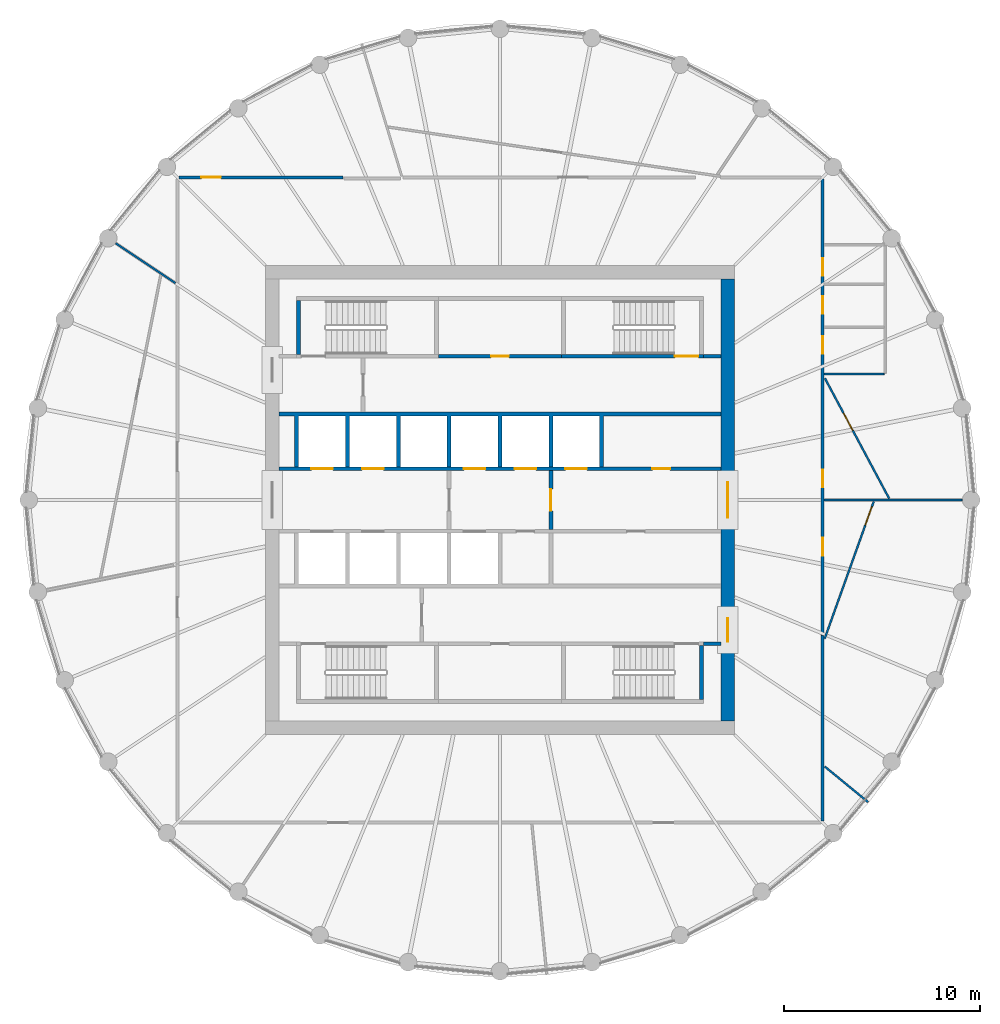
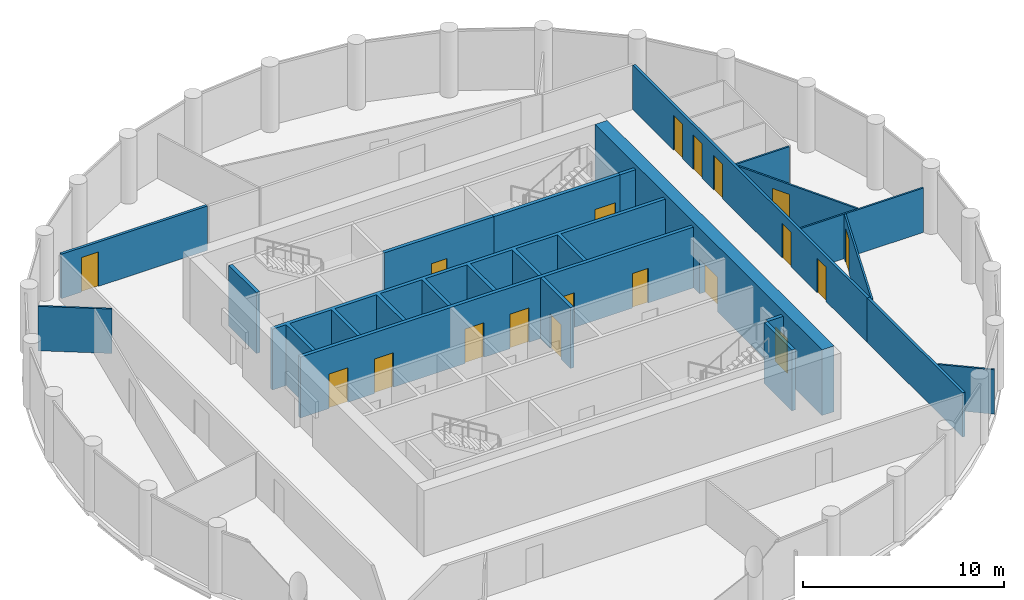
# One storey, part 5 of 7: 19 doors, 19 walls, 19 openings.
"""IFC4 building model written with IfcOpenShell, lengths in metres."""

from ifc_helpers import new_model, si_unit, direction, frame, frame_2d, origin, place, context, subcontext, project, spatial, polyline, rectangle, outline, extrude, material, layer, layer_set, type_object, element, fill, save


model = new_model("IFC4")

# Units and contexts
model_context = context("Model", 3, precision=1e-05, world=origin(), true_north=direction((0.0, 1.0)))
body_context = subcontext(model_context, "Body", "Model", "MODEL_VIEW")
ifc_project = project(units=[si_unit("LENGTHUNIT", "METRE"), si_unit("AREAUNIT", "SQUARE_METRE"), si_unit("VOLUMEUNIT", "CUBIC_METRE"), si_unit("PLANEANGLEUNIT", "RADIAN"), si_unit("MASSUNIT", "GRAM", prefix="KILO")], contexts=[model_context])

# Site, building, storey
site_placement = place(None, origin())
site = spatial("IfcSite", under=ifc_project, at=site_placement, CompositionType="ELEMENT")
building_placement = place(site_placement, origin())
building = spatial("IfcBuilding", under=site, at=building_placement, Name="Corvane Civic Tower", CompositionType="ELEMENT")
storey_placement = place(building_placement, frame((0.0, 0.0, 291.0)))
storey = spatial("IfcBuildingStorey", under=building, at=storey_placement, Name="L69", CompositionType="ELEMENT", Elevation=291.0)

# Wall, openings, doors
ifc_material_1 = material(Name="Concrete C40/50", Category="concrete")
ifc_layer_1 = layer(ifc_material_1, 0.699951171875)
ifc_layer_set_1 = layer_set([ifc_layer_1], Name="Concrete C40/50")
wall_type_1 = type_object("IfcWallType", Name="CORE WALL 700 C40/50", PredefinedType="SHEAR", material=ifc_layer_set_1)
wall_1_placement = place(storey_placement, frame((11.64990234375, -11.300048828125, 0.0), z_axis=(0.0, 0.0, 1.0), x_axis=(0.0, 1.0, 0.0)))
wall_1 = element("IfcWall", 1, at=wall_1_placement, inside=storey, type_object=wall_type_1, Name="W-L69-core-E", PredefinedType="SHEAR", context=body_context, shape_type="SweptSolid", body=[
    extrude(rectangle(XDim=22.60009765625, YDim=0.699951171875, at=frame_2d((11.300048828125, 0.0))), origin(), (0.0, 0.0, 1.0), 4.0),
])
opening_1_placement = place(wall_1_placement, frame((10.39990234375, 0.0, 0.0)))
opening_1 = element("IfcOpeningElement", 2, at=opening_1_placement, cuts=wall_1, Name="Opening L69.C15", PredefinedType="OPENING", context=body_context, shape_type="SweptSolid", body=[
    extrude(rectangle(XDim=1.800048828125, YDim=2.10009765625, at=frame_2d((0.89990234375, 1.050048828125))), frame((0.0, 0.35986328125, 0.0), z_axis=(0.0, -1.0, 0.0), x_axis=(1.0, 0.0, 0.0)), (0.0, 0.0, 1.0), 0.719970703125),
])
opening_2_placement = place(wall_1_placement, frame((4.050048828125, 0.0, 0.0)))
opening_2 = element("IfcOpeningElement", 3, at=opening_2_placement, cuts=wall_1, Name="Opening L69.C17", PredefinedType="OPENING", context=body_context, shape_type="SweptSolid", body=[
    extrude(rectangle(XDim=1.199951171875, YDim=2.10009765625, at=frame_2d((0.60009765625, 1.050048828125))), frame((0.0, 0.35986328125, 0.0), z_axis=(0.0, -1.0, 0.0), x_axis=(1.0, 0.0, 0.0)), (0.0, 0.0, 1.0), 0.719970703125),
])
ifc_material_2 = material(Name="Steel fire door leaf", Category="steel")
door_type_1 = type_object("IfcDoorType", Name="CR-DOOR-CORE-1800", OperationType="DOUBLE_DOOR_SINGLE_SWING", PredefinedType="DOOR", material=ifc_material_2)
door_1_placement = place(opening_1_placement, origin())
door_1 = element("IfcDoor", 4, at=door_1_placement, inside=storey, type_object=door_type_1, Name="L69 door", OperationType="DOUBLE_DOOR_SINGLE_SWING", OverallHeight=2.10009765625, OverallWidth=1.800048828125, PredefinedType="DOOR", context=body_context, shape_type="SweptSolid", body=[
    extrude(rectangle(XDim=1.800048828125, YDim=2.10009765625, at=frame_2d((0.89990234375, 1.050048828125))), frame((0.0, 0.02490234375, 0.0), z_axis=(0.0, -1.0, 0.0), x_axis=(1.0, 0.0, 0.0)), (0.0, 0.0, 1.0), 0.050048828125),
])
fill(opening_1, door_1)
door_2_placement = place(opening_2_placement, origin())
door_2 = element("IfcDoor", 5, at=door_2_placement, inside=storey, type_object=door_type_1, Name="L69 door", OperationType="DOUBLE_DOOR_SINGLE_SWING", OverallHeight=2.10009765625, OverallWidth=1.199951171875, PredefinedType="DOOR", context=body_context, shape_type="SweptSolid", body=[
    extrude(rectangle(XDim=1.199951171875, YDim=2.10009765625, at=frame_2d((0.60009765625, 1.050048828125))), frame((0.0, 0.02490234375, 0.0), z_axis=(0.0, -1.0, 0.0), x_axis=(1.0, 0.0, 0.0)), (0.0, 0.0, 1.0), 0.050048828125),
])
fill(opening_2, door_2)

ifc_material_3 = material(Name="Concrete C30/37", Category="concrete")
ifc_layer_2 = layer(ifc_material_3, 0.199951171875)
ifc_layer_set_2 = layer_set([ifc_layer_2], Name="Concrete C30/37")
wall_type_2 = type_object("IfcWallType", Name="CR-WALL-200", PredefinedType="PARTITIONING", material=ifc_layer_set_2)
wall_2_placement = place(storey_placement, frame((-11.300048828125, 1.60009765625, 0.0), z_axis=(0.0, 0.0, 1.0), x_axis=(1.0, 0.0, 0.0)))
wall_2 = element("IfcWall", 6, at=wall_2_placement, inside=storey, type_object=wall_type_2, Name="L69 lift shaft wall", PredefinedType="PARTITIONING", context=body_context, shape_type="SweptSolid", body=[
    extrude(rectangle(XDim=22.60009765625, YDim=0.199951171875, at=frame_2d((11.300048828125, 0.0))), origin(), (0.0, 0.0, 1.0), 3.699951171875),
])
opening_3_placement = place(wall_2_placement, frame((1.64990234375, 0.0, 0.0)))
opening_3 = element("IfcOpeningElement", 7, at=opening_3_placement, cuts=wall_2, Name="Opening LD", PredefinedType="OPENING", context=body_context, shape_type="SweptSolid", body=[
    extrude(rectangle(XDim=1.10009765625, YDim=2.10009765625, at=frame_2d((0.550048828125, 1.050048828125))), frame((0.0, 0.10986328125, 0.0), z_axis=(0.0, -1.0, 0.0), x_axis=(1.0, 0.0, 0.0)), (0.0, 0.0, 1.0), 0.219970703125),
])
opening_4_placement = place(wall_2_placement, frame((4.25, 0.0, 0.0)))
opening_4 = element("IfcOpeningElement", 8, at=opening_4_placement, cuts=wall_2, Name="Opening LD", PredefinedType="OPENING", context=body_context, shape_type="SweptSolid", body=[
    extrude(rectangle(XDim=1.10009765625, YDim=2.10009765625, at=frame_2d((0.550048828125, 1.050048828125))), frame((0.0, 0.10986328125, 0.0), z_axis=(0.0, -1.0, 0.0), x_axis=(1.0, 0.0, 0.0)), (0.0, 0.0, 1.0), 0.219970703125),
])
opening_5_placement = place(wall_2_placement, frame((9.449951171875, 0.0, 0.0)))
opening_5 = element("IfcOpeningElement", 9, at=opening_5_placement, cuts=wall_2, Name="Opening LD", PredefinedType="OPENING", context=body_context, shape_type="SweptSolid", body=[
    extrude(rectangle(XDim=1.10009765625, YDim=2.10009765625, at=frame_2d((0.550048828125, 1.050048828125))), frame((0.0, 0.10986328125, 0.0), z_axis=(0.0, -1.0, 0.0), x_axis=(1.0, 0.0, 0.0)), (0.0, 0.0, 1.0), 0.219970703125),
])
opening_6_placement = place(wall_2_placement, frame((12.050048828125, 0.0, 0.0)))
opening_6 = element("IfcOpeningElement", 10, at=opening_6_placement, cuts=wall_2, Name="Opening LD", PredefinedType="OPENING", context=body_context, shape_type="SweptSolid", body=[
    extrude(rectangle(XDim=1.10009765625, YDim=2.10009765625, at=frame_2d((0.550048828125, 1.050048828125))), frame((0.0, 0.10986328125, 0.0), z_axis=(0.0, -1.0, 0.0), x_axis=(1.0, 0.0, 0.0)), (0.0, 0.0, 1.0), 0.219970703125),
])
opening_7_placement = place(wall_2_placement, frame((14.64990234375, 0.0, 0.0)))
opening_7 = element("IfcOpeningElement", 11, at=opening_7_placement, cuts=wall_2, Name="Opening LD", PredefinedType="OPENING", context=body_context, shape_type="SweptSolid", body=[
    extrude(rectangle(XDim=1.10009765625, YDim=2.10009765625, at=frame_2d((0.550048828125, 1.050048828125))), frame((0.0, 0.10986328125, 0.0), z_axis=(0.0, -1.0, 0.0), x_axis=(1.0, 0.0, 0.0)), (0.0, 0.0, 1.0), 0.219970703125),
])
opening_8_placement = place(wall_2_placement, frame((19.10009765625, 0.0, 0.0)))
opening_8 = element("IfcOpeningElement", 12, at=opening_8_placement, cuts=wall_2, Name="Opening L69.C01", PredefinedType="OPENING", context=body_context, shape_type="SweptSolid", body=[
    extrude(rectangle(XDim=0.89990234375, YDim=2.10009765625, at=frame_2d((0.449951171875, 1.050048828125))), frame((0.0, 0.10986328125, 0.0), z_axis=(0.0, -1.0, 0.0), x_axis=(1.0, 0.0, 0.0)), (0.0, 0.0, 1.0), 0.219970703125),
])
ifc_material_4 = material(Name="Steel fire door leaf", Category="steel")
door_type_2 = type_object("IfcDoorType", Name="CR-DOOR-900", OperationType="SINGLE_SWING_LEFT", PredefinedType="DOOR", material=ifc_material_4)
door_3_placement = place(opening_8_placement, origin())
door_3 = element("IfcDoor", 13, at=door_3_placement, inside=storey, type_object=door_type_2, Name="L69 door", OperationType="SINGLE_SWING_LEFT", OverallHeight=2.10009765625, OverallWidth=0.89990234375, PredefinedType="DOOR", context=body_context, shape_type="SweptSolid", body=[
    extrude(rectangle(XDim=0.89990234375, YDim=2.10009765625, at=frame_2d((0.449951171875, 1.050048828125))), frame((0.0, 0.02490234375, 0.0), z_axis=(0.0, -1.0, 0.0), x_axis=(1.0, 0.0, 0.0)), (0.0, 0.0, 1.0), 0.050048828125),
])
fill(opening_8, door_3)
ifc_material_5 = material(Name="Stainless steel 316 door leaves", Category="steel")
door_type_3 = type_object("IfcDoorType", Name="LD", OperationType="DOUBLE_DOOR_SLIDING", PredefinedType="DOOR", material=ifc_material_5)
door_4_placement = place(opening_3_placement, origin())
door_4 = element("IfcDoor", 14, at=door_4_placement, inside=storey, type_object=door_type_3, Name="L69 landing door", OperationType="DOUBLE_DOOR_SLIDING", OverallHeight=2.10009765625, OverallWidth=1.10009765625, PredefinedType="DOOR", context=body_context, shape_type="SweptSolid", body=[
    extrude(rectangle(XDim=1.10009765625, YDim=2.10009765625, at=frame_2d((0.550048828125, 1.050048828125))), frame((0.0, 0.02490234375, 0.0), z_axis=(0.0, -1.0, 0.0), x_axis=(1.0, 0.0, 0.0)), (0.0, 0.0, 1.0), 0.050048828125),
])
fill(opening_3, door_4)
door_5_placement = place(opening_4_placement, origin())
door_5 = element("IfcDoor", 15, at=door_5_placement, inside=storey, type_object=door_type_3, Name="L69 landing door", OperationType="DOUBLE_DOOR_SLIDING", OverallHeight=2.10009765625, OverallWidth=1.10009765625, PredefinedType="DOOR", context=body_context, shape_type="SweptSolid", body=[
    extrude(rectangle(XDim=1.10009765625, YDim=2.10009765625, at=frame_2d((0.550048828125, 1.050048828125))), frame((0.0, 0.02490234375, 0.0), z_axis=(0.0, -1.0, 0.0), x_axis=(1.0, 0.0, 0.0)), (0.0, 0.0, 1.0), 0.050048828125),
])
fill(opening_4, door_5)
door_6_placement = place(opening_5_placement, origin())
door_6 = element("IfcDoor", 16, at=door_6_placement, inside=storey, type_object=door_type_3, Name="L69 landing door", OperationType="DOUBLE_DOOR_SLIDING", OverallHeight=2.10009765625, OverallWidth=1.10009765625, PredefinedType="DOOR", context=body_context, shape_type="SweptSolid", body=[
    extrude(rectangle(XDim=1.10009765625, YDim=2.10009765625, at=frame_2d((0.550048828125, 1.050048828125))), frame((0.0, 0.02490234375, 0.0), z_axis=(0.0, -1.0, 0.0), x_axis=(1.0, 0.0, 0.0)), (0.0, 0.0, 1.0), 0.050048828125),
])
fill(opening_5, door_6)
door_7_placement = place(opening_6_placement, origin())
door_7 = element("IfcDoor", 17, at=door_7_placement, inside=storey, type_object=door_type_3, Name="L69 landing door", OperationType="DOUBLE_DOOR_SLIDING", OverallHeight=2.10009765625, OverallWidth=1.10009765625, PredefinedType="DOOR", context=body_context, shape_type="SweptSolid", body=[
    extrude(rectangle(XDim=1.10009765625, YDim=2.10009765625, at=frame_2d((0.550048828125, 1.050048828125))), frame((0.0, 0.02490234375, 0.0), z_axis=(0.0, -1.0, 0.0), x_axis=(1.0, 0.0, 0.0)), (0.0, 0.0, 1.0), 0.050048828125),
])
fill(opening_6, door_7)
door_8_placement = place(opening_7_placement, origin())
door_8 = element("IfcDoor", 18, at=door_8_placement, inside=storey, type_object=door_type_3, Name="L69 landing door", OperationType="DOUBLE_DOOR_SLIDING", OverallHeight=2.10009765625, OverallWidth=1.10009765625, PredefinedType="DOOR", context=body_context, shape_type="SweptSolid", body=[
    extrude(rectangle(XDim=1.10009765625, YDim=2.10009765625, at=frame_2d((0.550048828125, 1.050048828125))), frame((0.0, 0.02490234375, 0.0), z_axis=(0.0, -1.0, 0.0), x_axis=(1.0, 0.0, 0.0)), (0.0, 0.0, 1.0), 0.050048828125),
])
fill(opening_7, door_8)

# Wall, opening, door
wall_3_placement = place(storey_placement, frame((-3.14990234375, 7.35009765625, 0.0), z_axis=(0.0, 0.0, 1.0), x_axis=(1.0, 0.0, 0.0)))
wall_3 = element("IfcWall", 19, at=wall_3_placement, inside=storey, type_object=wall_type_2, Name="L69 core partition wall", PredefinedType="PARTITIONING", context=body_context, shape_type="SweptSolid", body=[
    extrude(rectangle(XDim=6.2998046875, YDim=0.199951171875, at=frame_2d((3.14990234375, 0.0))), origin(), (0.0, 0.0, 1.0), 3.699951171875),
])
opening_9_placement = place(wall_3_placement, frame((2.699951171875, 0.0, 0.0)))
opening_9 = element("IfcOpeningElement", 20, at=opening_9_placement, cuts=wall_3, Name="Opening L69.C04", PredefinedType="OPENING", context=body_context, shape_type="SweptSolid", body=[
    extrude(rectangle(XDim=0.89990234375, YDim=2.10009765625, at=frame_2d((0.449951171875, 1.050048828125))), frame((0.0, 0.10986328125, 0.0), z_axis=(0.0, -1.0, 0.0), x_axis=(1.0, 0.0, 0.0)), (0.0, 0.0, 1.0), 0.219970703125),
])
door_9_placement = place(opening_9_placement, origin())
door_9 = element("IfcDoor", 21, at=door_9_placement, inside=storey, type_object=door_type_2, Name="L69 door", OperationType="SINGLE_SWING_LEFT", OverallHeight=2.10009765625, OverallWidth=0.89990234375, PredefinedType="DOOR", context=body_context, shape_type="SweptSolid", body=[
    extrude(rectangle(XDim=0.89990234375, YDim=2.10009765625, at=frame_2d((0.449951171875, 1.050048828125))), frame((0.0, 0.02490234375, 0.0), z_axis=(0.0, -1.0, 0.0), x_axis=(1.0, 0.0, 0.0)), (0.0, 0.0, 1.0), 0.050048828125),
])
fill(opening_9, door_9)

wall_4_placement = place(storey_placement, frame((2.60009765625, -1.5, 0.0), z_axis=(0.0, 0.0, 1.0), x_axis=(0.0, 1.0, 0.0)))
wall_4 = element("IfcWall", 22, at=wall_4_placement, inside=storey, type_object=wall_type_2, Name="L69 firefighting lobby wall", PredefinedType="PARTITIONING", context=body_context, shape_type="SweptSolid", body=[
    extrude(rectangle(XDim=3.0, YDim=0.199951171875, at=frame_2d((1.5, 0.0))), origin(), (0.0, 0.0, 1.0), 3.699951171875),
])
opening_10_placement = place(wall_4_placement, frame((0.949951171875, 0.0, 0.0)))
opening_10 = element("IfcOpeningElement", 23, at=opening_10_placement, cuts=wall_4, Name="Opening L69.C11", PredefinedType="OPENING", context=body_context, shape_type="SweptSolid", body=[
    extrude(rectangle(XDim=1.10009765625, YDim=2.10009765625, at=frame_2d((0.550048828125, 1.050048828125))), frame((0.0, 0.10986328125, 0.0), z_axis=(0.0, -1.0, 0.0), x_axis=(1.0, 0.0, 0.0)), (0.0, 0.0, 1.0), 0.219970703125),
])
ifc_material_6 = material(Name="Steel fire door leaf", Category="steel")
door_type_4 = type_object("IfcDoorType", Name="CR-DOOR-FFL-1100", OperationType="SINGLE_SWING_LEFT", PredefinedType="DOOR", material=ifc_material_6)
door_10_placement = place(opening_10_placement, origin())
door_10 = element("IfcDoor", 24, at=door_10_placement, inside=storey, type_object=door_type_4, Name="L69 lobby door", OperationType="SINGLE_SWING_LEFT", OverallHeight=2.10009765625, OverallWidth=1.10009765625, PredefinedType="DOOR", context=body_context, shape_type="SweptSolid", body=[
    extrude(rectangle(XDim=1.10009765625, YDim=2.10009765625, at=frame_2d((0.550048828125, 1.050048828125))), frame((0.0, 0.02490234375, 0.0), z_axis=(0.0, -1.0, 0.0), x_axis=(1.0, 0.0, 0.0)), (0.0, 0.0, 1.0), 0.050048828125),
])
fill(opening_10, door_10)

# Walls
wall_5_placement = place(storey_placement, origin())
element("IfcWall", 25, at=wall_5_placement, inside=storey, type_object=wall_type_2, Name="L69 core partition wall", PredefinedType="PARTITIONING", context=body_context, shape_type="SweptSolid", body=[
    extrude(outline(polyline([(-10.300048828125, 1.699951171875), (-10.5, 1.699951171875), (-10.5, 4.300048828125), (-11.300048828125, 4.300048828125), (-11.300048828125, 4.5), (11.300048828125, 4.5), (11.300048828125, 4.300048828125), (5.300048828125, 4.300048828125), (5.300048828125, 1.699951171875), (5.10009765625, 1.699951171875), (5.10009765625, 4.300048828125), (2.699951171875, 4.300048828125), (2.699951171875, 1.699951171875), (2.5, 1.699951171875), (2.5, 4.300048828125), (0.10009765625, 4.300048828125), (0.10009765625, 1.699951171875), (-0.10009765625, 1.699951171875), (-0.10009765625, 4.300048828125), (-2.5, 4.300048828125), (-2.5, 1.699951171875), (-2.699951171875, 1.699951171875), (-2.699951171875, 4.300048828125), (-5.10009765625, 4.300048828125), (-5.10009765625, 1.699951171875), (-5.300048828125, 1.699951171875), (-5.300048828125, 4.300048828125), (-7.699951171875, 4.300048828125), (-7.699951171875, 1.699951171875), (-7.89990234375, 1.699951171875), (-7.89990234375, 4.300048828125), (-10.300048828125, 4.300048828125), (-10.300048828125, 1.699951171875)])), origin(), (0.0, 0.0, 1.0), 3.699951171875),
])
wall_6_placement = place(storey_placement, origin())
element("IfcWall", 26, at=wall_6_placement, inside=storey, type_object=wall_type_2, Name="L69 core partition wall", PredefinedType="PARTITIONING", context=body_context, shape_type="SweptSolid", body=[
    extrude(outline(polyline([(11.300048828125, -7.449951171875), (10.39990234375, -7.449951171875), (10.39990234375, -7.25), (11.300048828125, -7.25), (11.300048828125, -7.449951171875)])), origin(), (0.0, 0.0, 1.0), 3.699951171875),
])
wall_7_placement = place(storey_placement, origin())
element("IfcWall", 27, at=wall_7_placement, inside=storey, type_object=wall_type_2, Name="L69 core partition wall", PredefinedType="PARTITIONING", context=body_context, shape_type="SweptSolid", body=[
    extrude(outline(polyline([(11.300048828125, 7.25), (10.39990234375, 7.25), (10.39990234375, 7.449951171875), (11.300048828125, 7.449951171875), (11.300048828125, 7.25)])), origin(), (0.0, 0.0, 1.0), 3.699951171875),
])
ifc_material_7 = material(Name="Plasterboard")
ifc_layer_3 = layer(ifc_material_7, 0.10009765625)
ifc_layer_set_3 = layer_set([ifc_layer_3], Name="Plasterboard")
wall_type_3 = type_object("IfcWallType", Name="Partition 100 plasterboard on studs", PredefinedType="PARTITIONING", material=ifc_layer_set_3)
wall_8_placement = place(storey_placement, frame((16.606689453125, -13.62890625, 0.0), z_axis=(0.0, 0.0, 1.0), x_axis=(0.773057309147, -0.634336185926, 0.0)))
element("IfcWall", 28, at=wall_8_placement, inside=storey, type_object=wall_type_3, Name="Partition L69.006", PredefinedType="PARTITIONING", context=body_context, shape_type="SweptSolid", body=[
    extrude(rectangle(XDim=2.866943359375, YDim=0.10009765625, at=frame_2d((1.43359375, 0.0))), origin(), (0.0, 0.0, 1.0), 2.699951171875),
])

# Wall, opening, door
wall_9_placement = place(storey_placement, frame((16.605224609375, -7.09521484375, 0.0), z_axis=(0.0, 0.0, 1.0), x_axis=(0.336904028369, 0.941538993175, 0.0)))
wall_9 = element("IfcWall", 29, at=wall_9_placement, inside=storey, type_object=wall_type_3, Name="Partition L69.007", PredefinedType="PARTITIONING", context=body_context, shape_type="SweptSolid", body=[
    extrude(rectangle(XDim=7.464599609375, YDim=0.10009765625, at=frame_2d((3.732421875, 0.0))), origin(), (0.0, 0.0, 1.0), 2.699951171875),
])
opening_11_placement = place(wall_9_placement, frame((6.17333984375, 0.0, 0.0)))
opening_11 = element("IfcOpeningElement", 30, at=opening_11_placement, cuts=wall_9, Name="Opening L69.006", PredefinedType="OPENING", context=body_context, shape_type="SweptSolid", body=[
    extrude(rectangle(XDim=1.0, YDim=2.10009765625, at=frame_2d((0.5, 1.050048828125))), frame((0.0, 0.06005859375, 0.0), z_axis=(0.0, -1.0, 0.0), x_axis=(1.0, 0.0, 0.0)), (0.0, 0.0, 1.0), 0.1201171875),
])
ifc_material_8 = material(Name="Timber", Category="wood")
door_type_5 = type_object("IfcDoorType", Name="Single door 1000", OperationType="NOTDEFINED", PredefinedType="DOOR", material=ifc_material_8)
door_11_placement = place(opening_11_placement, frame((1.0, 0.0, 0.0), z_axis=(0.0, 0.0, 1.0), x_axis=(-1.0, 0.0, 0.0)))
door_11 = element("IfcDoor", 31, at=door_11_placement, inside=storey, type_object=door_type_5, Name="Door L69.006", OperationType="SINGLE_SWING_LEFT", OverallHeight=2.10009765625, OverallWidth=1.0, PredefinedType="DOOR", context=body_context, shape_type="SweptSolid", body=[
    extrude(rectangle(XDim=1.0, YDim=2.10009765625, at=frame_2d((0.5, 1.050048828125))), frame((0.0, 0.02490234375, 0.0), z_axis=(0.0, -1.0, 0.0), x_axis=(1.0, 0.0, 0.0)), (0.0, 0.0, 1.0), 0.050048828125),
])
fill(opening_11, door_11)

# Wall
wall_10_placement = place(storey_placement, frame((16.574951171875, 0.0, 0.0), z_axis=(0.0, 0.0, 1.0), x_axis=(1.0, 0.0, 0.0)))
element("IfcWall", 32, at=wall_10_placement, inside=storey, type_object=wall_type_3, Name="Partition L69.012", PredefinedType="PARTITIONING", context=body_context, shape_type="SweptSolid", body=[
    extrude(rectangle(XDim=7.065185546875, YDim=0.10009765625, at=frame_2d((3.53271484375, 0.0))), origin(), (0.0, 0.0, 1.0), 2.699951171875),
])

# Wall, opening, door
wall_11_placement = place(storey_placement, frame((16.619140625, 6.22216796875, 0.0), z_axis=(0.0, 0.0, 1.0), x_axis=(0.471378680007, -0.881930915681, 0.0)))
wall_11 = element("IfcWall", 33, at=wall_11_placement, inside=storey, type_object=wall_type_3, Name="Partition L69.013", PredefinedType="PARTITIONING", context=body_context, shape_type="SweptSolid", body=[
    extrude(rectangle(XDim=6.971923828125, YDim=0.10009765625, at=frame_2d((3.48583984375, 0.0))), origin(), (0.0, 0.0, 1.0), 2.699951171875),
])
opening_12_placement = place(wall_11_placement, frame((2.0166015625, 0.0, 0.0)))
opening_12 = element("IfcOpeningElement", 34, at=opening_12_placement, cuts=wall_11, Name="Opening L69.001", PredefinedType="OPENING", context=body_context, shape_type="SweptSolid", body=[
    extrude(rectangle(XDim=1.0, YDim=2.10009765625, at=frame_2d((0.5, 1.050048828125))), frame((0.0, 0.06005859375, 0.0), z_axis=(0.0, -1.0, 0.0), x_axis=(1.0, 0.0, 0.0)), (0.0, 0.0, 1.0), 0.1201171875),
])
door_12_placement = place(opening_12_placement, origin())
door_12 = element("IfcDoor", 35, at=door_12_placement, inside=storey, type_object=door_type_5, Name="Door L69.001", OperationType="SINGLE_SWING_RIGHT", OverallHeight=2.10009765625, OverallWidth=1.0, PredefinedType="DOOR", context=body_context, shape_type="SweptSolid", body=[
    extrude(rectangle(XDim=1.0, YDim=2.10009765625, at=frame_2d((0.5, 1.050048828125))), frame((0.0, 0.02490234375, 0.0), z_axis=(0.0, -1.0, 0.0), x_axis=(1.0, 0.0, 0.0)), (0.0, 0.0, 1.0), 0.050048828125),
])
fill(opening_12, door_12)

# Walls
wall_12_placement = place(storey_placement, frame((16.58349609375, 6.445068359375, 0.0), z_axis=(0.0, 0.0, 1.0), x_axis=(1.0, 0.0, 0.0)))
element("IfcWall", 36, at=wall_12_placement, inside=storey, type_object=wall_type_3, Name="Partition L69.014", PredefinedType="PARTITIONING", context=body_context, shape_type="SweptSolid", body=[
    extrude(rectangle(XDim=3.06640625, YDim=0.10009765625, at=frame_2d((1.533203125, 0.0))), origin(), (0.0, 0.0, 1.0), 2.699951171875),
])
wall_13_placement = place(storey_placement, frame((-19.656005859375, 13.133544921875, 0.0), z_axis=(0.0, 0.0, 1.0), x_axis=(0.831477046095, -0.555559107402, 0.0)))
element("IfcWall", 37, at=wall_13_placement, inside=storey, type_object=wall_type_3, Name="Partition L69.018", PredefinedType="PARTITIONING", context=body_context, shape_type="SweptSolid", body=[
    extrude(rectangle(XDim=3.672119140625, YDim=0.10009765625, at=frame_2d((1.8359375, 0.0))), origin(), (0.0, 0.0, 1.0), 2.699951171875),
])

# Wall, opening, door
ifc_material_9 = material(Name="Concrete C50/60", Category="concrete")
ifc_layer_4 = layer(ifc_material_9, 0.199951171875)
ifc_layer_set_4 = layer_set([ifc_layer_4], Name="Concrete C50/60")
wall_type_4 = type_object("IfcWallType", Name="ST-WALL-200", PredefinedType="SHEAR", material=ifc_layer_set_4)
wall_14_placement = place(storey_placement, frame((3.14990234375, 7.35009765625, 0.0), z_axis=(0.0, 0.0, 1.0), x_axis=(1.0, 0.0, 0.0)))
wall_14 = element("IfcWall", 38, at=wall_14_placement, inside=storey, type_object=wall_type_4, Name="L69 stair enclosure wall", PredefinedType="SHEAR", context=body_context, shape_type="SweptSolid", body=[
    extrude(rectangle(XDim=7.25, YDim=0.199951171875, at=frame_2d((3.625, 0.0))), origin(), (0.0, 0.0, 1.0), 3.699951171875),
])
opening_13_placement = place(wall_14_placement, frame((5.800048828125, 0.0, 0.0)))
opening_13 = element("IfcOpeningElement", 39, at=opening_13_placement, cuts=wall_14, Name="Opening L69.C06", PredefinedType="OPENING", context=body_context, shape_type="SweptSolid", body=[
    extrude(rectangle(XDim=1.199951171875, YDim=2.10009765625, at=frame_2d((0.60009765625, 1.050048828125))), frame((0.0, 0.10986328125, 0.0), z_axis=(0.0, -1.0, 0.0), x_axis=(1.0, 0.0, 0.0)), (0.0, 0.0, 1.0), 0.219970703125),
])
ifc_material_10 = material(Name="Steel fire door leaf", Category="steel")
door_type_6 = type_object("IfcDoorType", Name="ST-DOOR-1200", OperationType="SINGLE_SWING_RIGHT", PredefinedType="DOOR", material=ifc_material_10)
door_13_placement = place(opening_13_placement, origin())
door_13 = element("IfcDoor", 40, at=door_13_placement, inside=storey, type_object=door_type_6, Name="L69 stair door", OperationType="SINGLE_SWING_RIGHT", OverallHeight=2.10009765625, OverallWidth=1.199951171875, PredefinedType="DOOR", context=body_context, shape_type="SweptSolid", body=[
    extrude(rectangle(XDim=1.199951171875, YDim=2.10009765625, at=frame_2d((0.60009765625, 1.050048828125))), frame((0.0, 0.02490234375, 0.0), z_axis=(0.0, -1.0, 0.0), x_axis=(1.0, 0.0, 0.0)), (0.0, 0.0, 1.0), 0.050048828125),
])
fill(opening_13, door_13)

# Walls
wall_15_placement = place(storey_placement, origin())
element("IfcWall", 41, at=wall_15_placement, inside=storey, type_object=wall_type_4, Name="L69 stair enclosure wall", PredefinedType="SHEAR", context=body_context, shape_type="SweptSolid", body=[
    extrude(outline(polyline([(-10.199951171875, 7.449951171875), (-10.39990234375, 7.449951171875), (-10.39990234375, 10.199951171875), (-10.199951171875, 10.199951171875), (-10.199951171875, 7.449951171875)])), origin(), (0.0, 0.0, 1.0), 3.699951171875),
])
wall_16_placement = place(storey_placement, origin())
element("IfcWall", 42, at=wall_16_placement, inside=storey, type_object=wall_type_4, Name="L69 stair enclosure wall", PredefinedType="SHEAR", context=body_context, shape_type="SweptSolid", body=[
    extrude(outline(polyline([(10.39990234375, -7.449951171875), (10.39990234375, -10.199951171875), (10.199951171875, -10.199951171875), (10.199951171875, -7.449951171875), (10.39990234375, -7.449951171875)])), origin(), (0.0, 0.0, 1.0), 3.699951171875),
])
ifc_material_11 = material(Name="Plasterboard")
ifc_layer_5 = layer(ifc_material_11, 0.14990234375)
ifc_layer_set_5 = layer_set([ifc_layer_5], Name="Plasterboard")
wall_type_5 = type_object("IfcWallType", Name="Tenancy wall 150 EI 60", PredefinedType="PARTITIONING", material=ifc_layer_set_5)
wall_17_placement = place(storey_placement, frame((16.5, -16.425048828125, 0.0), z_axis=(0.0, 0.0, 1.0), x_axis=(0.0, 1.0, 0.0)))
element("IfcWall", 43, at=wall_17_placement, inside=storey, type_object=wall_type_5, Name="Partition L69.005", PredefinedType="PARTITIONING", context=body_context, shape_type="SweptSolid", body=[
    extrude(rectangle(XDim=9.50244140625, YDim=0.14990234375, at=frame_2d((4.751220703125, 0.0))), origin(), (0.0, 0.0, 1.0), 2.699951171875),
])

# Wall, openings, doors
wall_18_placement = place(storey_placement, frame((16.5, -6.922607421875, 0.0), z_axis=(0.0, 0.0, 1.0), x_axis=(0.0, 1.0, 0.0)))
wall_18 = element("IfcWall", 44, at=wall_18_placement, inside=storey, type_object=wall_type_5, Name="Partition L69.008", PredefinedType="PARTITIONING", context=body_context, shape_type="SweptSolid", body=[
    extrude(rectangle(XDim=23.34765625, YDim=0.14990234375, at=frame_2d((11.673828125, 0.0))), origin(), (0.0, 0.0, 1.0), 2.699951171875),
])
opening_14_placement = place(wall_18_placement, frame((7.580078125, 0.0, 0.0)))
opening_14 = element("IfcOpeningElement", 45, at=opening_14_placement, cuts=wall_18, Name="Opening L69.002", PredefinedType="OPENING", context=body_context, shape_type="SweptSolid", body=[
    extrude(rectangle(XDim=0.89990234375, YDim=2.10009765625, at=frame_2d((0.449951171875, 1.050048828125))), frame((0.0, 0.0849609375, 0.0), z_axis=(0.0, -1.0, 0.0), x_axis=(1.0, 0.0, 0.0)), (0.0, 0.0, 1.0), 0.169921875),
])
opening_15_placement = place(wall_18_placement, frame((14.396240234375, 0.0, 0.0)))
opening_15 = element("IfcOpeningElement", 46, at=opening_15_placement, cuts=wall_18, Name="Opening L69.003", PredefinedType="OPENING", context=body_context, shape_type="SweptSolid", body=[
    extrude(rectangle(XDim=0.89990234375, YDim=2.10009765625, at=frame_2d((0.449951171875, 1.050048828125))), frame((0.0, 0.0849609375, 0.0), z_axis=(0.0, -1.0, 0.0), x_axis=(1.0, 0.0, 0.0)), (0.0, 0.0, 1.0), 0.169921875),
])
opening_16_placement = place(wall_18_placement, frame((16.440673828125, 0.0, 0.0)))
opening_16 = element("IfcOpeningElement", 47, at=opening_16_placement, cuts=wall_18, Name="Opening L69.004", PredefinedType="OPENING", context=body_context, shape_type="SweptSolid", body=[
    extrude(rectangle(XDim=0.89990234375, YDim=2.10009765625, at=frame_2d((0.449951171875, 1.050048828125))), frame((0.0, 0.0849609375, 0.0), z_axis=(0.0, -1.0, 0.0), x_axis=(1.0, 0.0, 0.0)), (0.0, 0.0, 1.0), 0.169921875),
])
opening_17_placement = place(wall_18_placement, frame((18.393310546875, 0.0, 0.0)))
opening_17 = element("IfcOpeningElement", 48, at=opening_17_placement, cuts=wall_18, Name="Opening L69.005", PredefinedType="OPENING", context=body_context, shape_type="SweptSolid", body=[
    extrude(rectangle(XDim=0.89990234375, YDim=2.10009765625, at=frame_2d((0.449951171875, 1.050048828125))), frame((0.0, 0.0849609375, 0.0), z_axis=(0.0, -1.0, 0.0), x_axis=(1.0, 0.0, 0.0)), (0.0, 0.0, 1.0), 0.169921875),
])
opening_18_placement = place(wall_18_placement, frame((4.081787109375, 0.0, 0.0)))
opening_18 = element("IfcOpeningElement", 49, at=opening_18_placement, cuts=wall_18, Name="Opening L69.007", PredefinedType="OPENING", context=body_context, shape_type="SweptSolid", body=[
    extrude(rectangle(XDim=0.89990234375, YDim=2.10009765625, at=frame_2d((0.449951171875, 1.050048828125))), frame((0.0, 0.0849609375, 0.0), z_axis=(0.0, -1.0, 0.0), x_axis=(1.0, 0.0, 0.0)), (0.0, 0.0, 1.0), 0.169921875),
])
ifc_material_12 = material(Name="Steel and timber", Category="steel")
door_type_7 = type_object("IfcDoorType", Name="Fire door FD30S 900", OperationType="NOTDEFINED", PredefinedType="DOOR", material=ifc_material_12)
door_14_placement = place(opening_14_placement, frame((0.89990234375, 0.0, 0.0), z_axis=(0.0, 0.0, 1.0), x_axis=(-1.0, 0.0, 0.0)))
door_14 = element("IfcDoor", 50, at=door_14_placement, inside=storey, type_object=door_type_7, Name="Door L69.002", OperationType="SINGLE_SWING_LEFT", OverallHeight=2.10009765625, OverallWidth=0.89990234375, PredefinedType="DOOR", context=body_context, shape_type="SweptSolid", body=[
    extrude(rectangle(XDim=0.89990234375, YDim=2.10009765625, at=frame_2d((0.449951171875, 1.050048828125))), frame((0.0, 0.02490234375, 0.0), z_axis=(0.0, -1.0, 0.0), x_axis=(1.0, 0.0, 0.0)), (0.0, 0.0, 1.0), 0.050048828125),
])
fill(opening_14, door_14)
door_15_placement = place(opening_15_placement, frame((0.89990234375, 0.0, 0.0), z_axis=(0.0, 0.0, 1.0), x_axis=(-1.0, 0.0, 0.0)))
door_15 = element("IfcDoor", 51, at=door_15_placement, inside=storey, type_object=door_type_7, Name="Door L69.003", OperationType="SINGLE_SWING_LEFT", OverallHeight=2.10009765625, OverallWidth=0.89990234375, PredefinedType="DOOR", context=body_context, shape_type="SweptSolid", body=[
    extrude(rectangle(XDim=0.89990234375, YDim=2.10009765625, at=frame_2d((0.449951171875, 1.050048828125))), frame((0.0, 0.02490234375, 0.0), z_axis=(0.0, -1.0, 0.0), x_axis=(1.0, 0.0, 0.0)), (0.0, 0.0, 1.0), 0.050048828125),
])
fill(opening_15, door_15)
door_16_placement = place(opening_16_placement, frame((0.89990234375, 0.0, 0.0), z_axis=(0.0, 0.0, 1.0), x_axis=(-1.0, 0.0, 0.0)))
door_16 = element("IfcDoor", 52, at=door_16_placement, inside=storey, type_object=door_type_7, Name="Door L69.004", OperationType="SINGLE_SWING_RIGHT", OverallHeight=2.10009765625, OverallWidth=0.89990234375, PredefinedType="DOOR", context=body_context, shape_type="SweptSolid", body=[
    extrude(rectangle(XDim=0.89990234375, YDim=2.10009765625, at=frame_2d((0.449951171875, 1.050048828125))), frame((0.0, 0.02490234375, 0.0), z_axis=(0.0, -1.0, 0.0), x_axis=(1.0, 0.0, 0.0)), (0.0, 0.0, 1.0), 0.050048828125),
])
fill(opening_16, door_16)
door_17_placement = place(opening_17_placement, frame((0.89990234375, 0.0, 0.0), z_axis=(0.0, 0.0, 1.0), x_axis=(-1.0, 0.0, 0.0)))
door_17 = element("IfcDoor", 53, at=door_17_placement, inside=storey, type_object=door_type_7, Name="Door L69.005", OperationType="SINGLE_SWING_LEFT", OverallHeight=2.10009765625, OverallWidth=0.89990234375, PredefinedType="DOOR", context=body_context, shape_type="SweptSolid", body=[
    extrude(rectangle(XDim=0.89990234375, YDim=2.10009765625, at=frame_2d((0.449951171875, 1.050048828125))), frame((0.0, 0.02490234375, 0.0), z_axis=(0.0, -1.0, 0.0), x_axis=(1.0, 0.0, 0.0)), (0.0, 0.0, 1.0), 0.050048828125),
])
fill(opening_17, door_17)
door_18_placement = place(opening_18_placement, frame((0.89990234375, 0.0, 0.0), z_axis=(0.0, 0.0, 1.0), x_axis=(-1.0, 0.0, 0.0)))
door_18 = element("IfcDoor", 54, at=door_18_placement, inside=storey, type_object=door_type_7, Name="Door L69.007", OperationType="SINGLE_SWING_RIGHT", OverallHeight=2.10009765625, OverallWidth=0.89990234375, PredefinedType="DOOR", context=body_context, shape_type="SweptSolid", body=[
    extrude(rectangle(XDim=0.89990234375, YDim=2.10009765625, at=frame_2d((0.449951171875, 1.050048828125))), frame((0.0, 0.02490234375, 0.0), z_axis=(0.0, -1.0, 0.0), x_axis=(1.0, 0.0, 0.0)), (0.0, 0.0, 1.0), 0.050048828125),
])
fill(opening_18, door_18)

# Wall, opening, door
wall_19_placement = place(storey_placement, frame((-16.425048828125, 16.5, 0.0), z_axis=(0.0, 0.0, 1.0), x_axis=(1.0, 0.0, 0.0)))
wall_19 = element("IfcWall", 55, at=wall_19_placement, inside=storey, type_object=wall_type_5, Name="Partition L69.021", PredefinedType="PARTITIONING", context=body_context, shape_type="SweptSolid", body=[
    extrude(rectangle(XDim=8.39794921875, YDim=0.14990234375, at=frame_2d((4.198974609375, 0.0))), origin(), (0.0, 0.0, 1.0), 2.699951171875),
])
opening_19_placement = place(wall_19_placement, frame((1.146240234375, 0.0, 0.0)))
opening_19 = element("IfcOpeningElement", 56, at=opening_19_placement, cuts=wall_19, Name="Opening L69.013", PredefinedType="OPENING", context=body_context, shape_type="SweptSolid", body=[
    extrude(rectangle(XDim=1.0, YDim=2.10009765625, at=frame_2d((0.5, 1.050048828125))), frame((0.0, 0.0849609375, 0.0), z_axis=(0.0, -1.0, 0.0), x_axis=(1.0, 0.0, 0.0)), (0.0, 0.0, 1.0), 0.169921875),
])
ifc_material_13 = material(Name="Steel and timber", Category="steel")
door_type_8 = type_object("IfcDoorType", Name="Fire door FD30S 1000", OperationType="NOTDEFINED", PredefinedType="DOOR", material=ifc_material_13)
door_19_placement = place(opening_19_placement, origin())
door_19 = element("IfcDoor", 57, at=door_19_placement, inside=storey, type_object=door_type_8, Name="Door L69.013", OperationType="SINGLE_SWING_RIGHT", OverallHeight=2.10009765625, OverallWidth=1.0, PredefinedType="DOOR", context=body_context, shape_type="SweptSolid", body=[
    extrude(rectangle(XDim=1.0, YDim=2.10009765625, at=frame_2d((0.5, 1.050048828125))), frame((0.0, 0.02490234375, 0.0), z_axis=(0.0, -1.0, 0.0), x_axis=(1.0, 0.0, 0.0)), (0.0, 0.0, 1.0), 0.050048828125),
])
fill(opening_19, door_19)

save(model, "model.ifc")
